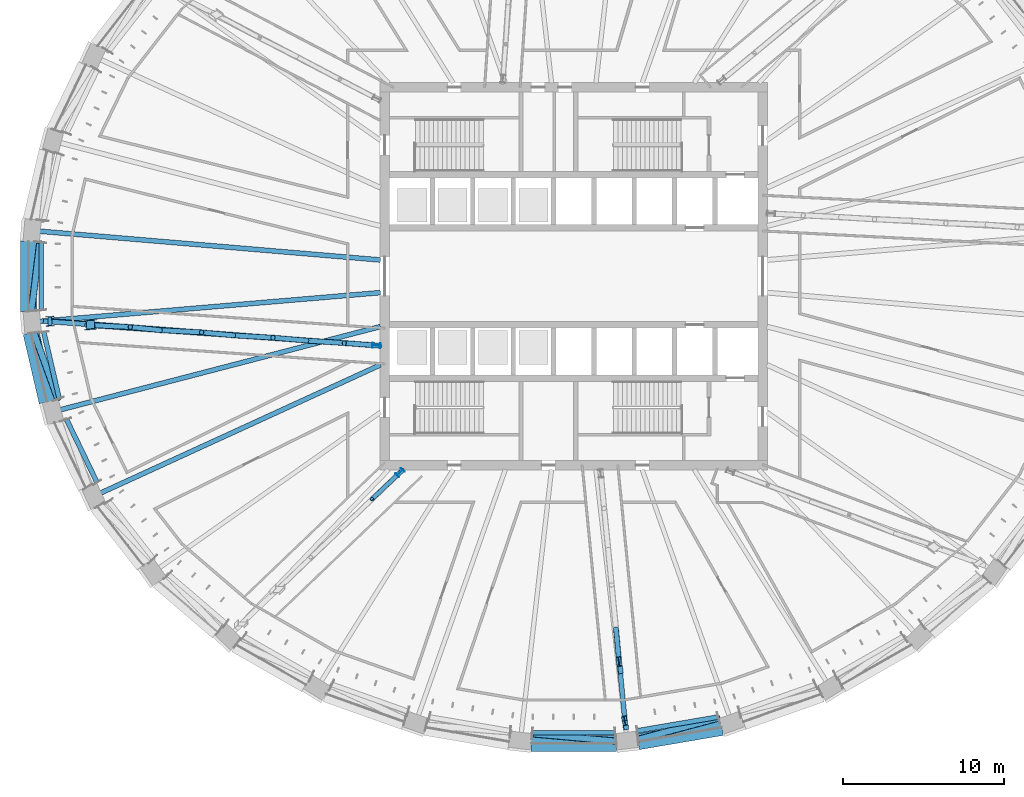
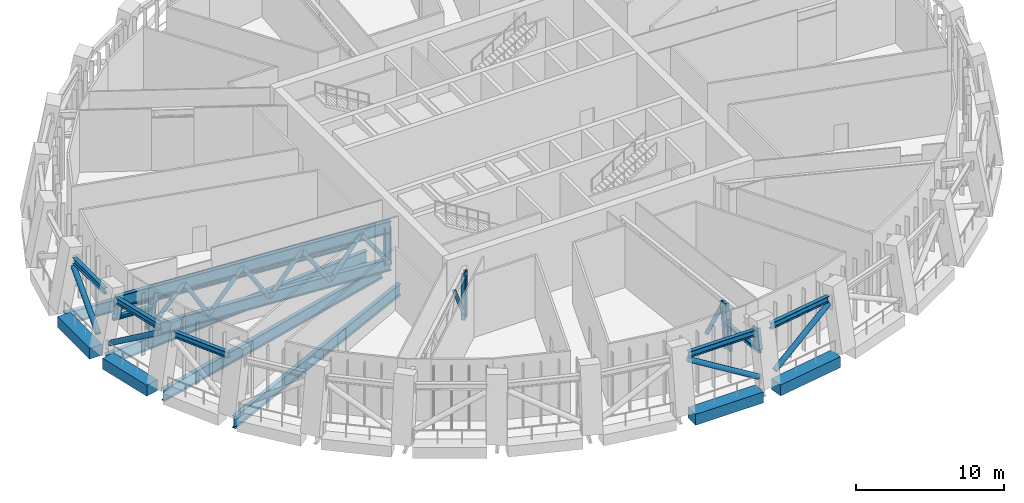
# One storey, part 2 of 21: 29 members, 8 beams.
"""IFC4 building model written with IfcOpenShell, lengths in metres."""

from ifc_helpers import new_model, si_unit, direction, frame, origin, origin_2d, place, context, subcontext, project, spatial, rectangle, hollow_circle, i_section, extrude, material, material_profile, profile_set, type_object, element, save


model = new_model("IFC4")

# Units and contexts
model_context = context("Model", 3, precision=1e-05, world=origin(), true_north=direction((0.0, 1.0)))
body_context = subcontext(model_context, "Body", "Model", "MODEL_VIEW")
ifc_project = project(units=[si_unit("LENGTHUNIT", "METRE"), si_unit("AREAUNIT", "SQUARE_METRE"), si_unit("VOLUMEUNIT", "CUBIC_METRE"), si_unit("PLANEANGLEUNIT", "RADIAN"), si_unit("MASSUNIT", "GRAM", prefix="KILO")], contexts=[model_context])

# Site, building, storey
site_placement = place(None, origin())
site = spatial("IfcSite", under=ifc_project, at=site_placement, CompositionType="ELEMENT")
building_placement = place(site_placement, origin())
building = spatial("IfcBuilding", under=site, at=building_placement, Name="Halqa Exchange Tower", CompositionType="ELEMENT")
storey_placement = place(building_placement, frame((0.0, 0.0, 173.5)))
storey = spatial("IfcBuildingStorey", under=building, at=storey_placement, Name="L39", CompositionType="ELEMENT", Elevation=173.5)

# Members
ifc_material_1 = material(Name="Steel S355", Category="steel")
ifc_material_profile_1 = material_profile(ifc_material_1, i_section(OverallWidth=0.300048828125, OverallDepth=0.5, WebThickness=0.014404296875, FlangeThickness=0.028076171875, FilletRadius=0.027099609375, at=origin_2d()), Name="HEB 500")
ifc_profile_set_1 = profile_set([ifc_material_profile_1], Name="Steel S355")
member_type_1 = type_object("IfcMemberType", Name="Belt truss chord HEB 500", PredefinedType="CHORD", material=ifc_profile_set_1)
member_1_placement = place(storey_placement, frame((-32.974609375, 2.1064453125, 4.25), z_axis=(0.0, -1.0, 0.0), x_axis=(1.0, 0.0, 0.0)))
element("IfcMember", 1, at=member_1_placement, inside=storey, type_object=member_type_1, Name="Belt chord 16", PredefinedType="CHORD", context=body_context, shape_type="SweptSolid", body=[
    extrude(i_section(OverallWidth=0.300048828125, OverallDepth=0.5, WebThickness=0.014404296875, FlangeThickness=0.028076171875, FilletRadius=0.027099609375, at=origin_2d()), origin(), (0.0, 0.0, 1.0), 4.212890625),
])
member_2_placement = place(storey_placement, frame((-32.821533203125, -3.443359375, 4.25), z_axis=(0.226071328972, -0.974110750488, 0.0), x_axis=(0.974110750488, 0.226071328972, 0.0)))
element("IfcMember", 2, at=member_2_placement, inside=storey, type_object=member_type_1, Name="Belt chord 17", PredefinedType="CHORD", context=body_context, shape_type="SweptSolid", body=[
    extrude(i_section(OverallWidth=0.300048828125, OverallDepth=0.5, WebThickness=0.014404296875, FlangeThickness=0.028076171875, FilletRadius=0.027099609375, at=origin_2d()), origin(), (0.0, 0.0, 1.0), 4.251708984375),
])
member_3_placement = place(storey_placement, frame((-31.4130859375, -8.853271484375, 4.25), z_axis=(0.435124788825, -0.900370156186, 0.0), x_axis=(0.900370156186, 0.435124788825, 0.0)))
element("IfcMember", 3, at=member_3_placement, inside=storey, type_object=member_type_1, Name="Belt chord 18", PredefinedType="CHORD", context=body_context, shape_type="SweptSolid", body=[
    extrude(i_section(OverallWidth=0.300048828125, OverallDepth=0.5, WebThickness=0.014404296875, FlangeThickness=0.028076171875, FilletRadius=0.027099609375, at=origin_2d()), origin(), (0.0, 0.0, 1.0), 4.36083984375),
])
member_4_placement = place(storey_placement, frame((-2.572998046875, -28.263916015625, 4.25), z_axis=(1.0, 0.0, 0.0), x_axis=(0.0, 1.0, 0.0)))
element("IfcMember", 4, at=member_4_placement, inside=storey, type_object=member_type_1, Name="Belt chord 24", PredefinedType="CHORD", context=body_context, shape_type="SweptSolid", body=[
    extrude(i_section(OverallWidth=0.300048828125, OverallDepth=0.5, WebThickness=0.014404296875, FlangeThickness=0.028076171875, FilletRadius=0.027099609375, at=origin_2d()), origin(), (0.0, 0.0, 1.0), 5.14599609375),
])
member_5_placement = place(storey_placement, frame((3.912841796875, -28.150390625, 4.25), z_axis=(0.985772726473, 0.168083704572, 0.0), x_axis=(-0.168083704572, 0.985772726473, 0.0)))
element("IfcMember", 5, at=member_5_placement, inside=storey, type_object=member_type_1, Name="Belt chord 25", PredefinedType="CHORD", context=body_context, shape_type="SweptSolid", body=[
    extrude(i_section(OverallWidth=0.300048828125, OverallDepth=0.5, WebThickness=0.014404296875, FlangeThickness=0.028076171875, FilletRadius=0.027099609375, at=origin_2d()), origin(), (0.0, 0.0, 1.0), 5.11279296875),
])
ifc_material_profile_2 = material_profile(ifc_material_1, hollow_circle(Radius=0.203125, WallThickness=0.02490234375, at=origin_2d()), Name="CHS 406.4x25")
ifc_profile_set_2 = profile_set([ifc_material_profile_2], Name="Steel S355")
member_type_2 = type_object("IfcMemberType", Name="Belt truss diagonal CHS 406.4x25", PredefinedType="BRACE", material=ifc_profile_set_2)
member_6_placement = place(storey_placement, frame((-33.056396484375, 2.1171875, 3.805908203125), z_axis=(-0.101703463411, -0.827765008805, -0.55178029661), x_axis=(0.992536474378, -0.12194813254, 0.0)))
element("IfcMember", 6, at=member_6_placement, inside=storey, type_object=member_type_2, Name="Belt diagonal 16", PredefinedType="BRACE", context=body_context, shape_type="SweptSolid", body=[
    extrude(hollow_circle(Radius=0.203125, WallThickness=0.02490234375, at=origin_2d()), origin(), (0.0, 0.0, 1.0), 5.16357421875),
])
member_7_placement = place(storey_placement, frame((-33.43017578125, -3.491943359375, 0.950927734375), z_axis=(0.285439464031, -0.787290547851, 0.546532620836), x_axis=(0.940118219576, 0.340848548804, 0.0)))
element("IfcMember", 7, at=member_7_placement, inside=storey, type_object=member_type_2, Name="Belt diagonal 17", PredefinedType="BRACE", context=body_context, shape_type="SweptSolid", body=[
    extrude(hollow_circle(Radius=0.203125, WallThickness=0.02490234375, at=origin_2d()), origin(), (0.0, 0.0, 1.0), 5.234619140625),
])
member_8_placement = place(storey_placement, frame((-2.579345703125, -28.32421875, 3.8681640625), z_axis=(0.865617575763, -0.078114237588, -0.494574947219), x_axis=(0.089875840883, 0.995952977417, 0.0)))
element("IfcMember", 8, at=member_8_placement, inside=storey, type_object=member_type_2, Name="Belt diagonal 24", PredefinedType="BRACE", context=body_context, shape_type="SweptSolid", body=[
    extrude(hollow_circle(Radius=0.203125, WallThickness=0.02490234375, at=origin_2d()), origin(), (0.0, 0.0, 1.0), 6.02587890625),
])
member_9_placement = place(storey_placement, frame((3.975341796875, -28.6806640625, 0.892333984375), z_axis=(0.837713840021, 0.223136467433, 0.498443215561), x_axis=(-0.257389219972, 0.966307812988, 0.0)))
element("IfcMember", 9, at=member_9_placement, inside=storey, type_object=member_type_2, Name="Belt diagonal 25", PredefinedType="BRACE", context=body_context, shape_type="SweptSolid", body=[
    extrude(hollow_circle(Radius=0.203125, WallThickness=0.02490234375, at=origin_2d()), origin(), (0.0, 0.0, 1.0), 5.9619140625),
])

# Beams
ifc_material_profile_3 = material_profile(ifc_material_1, i_section(OverallWidth=0.300048828125, OverallDepth=0.989990234375, WebThickness=0.0166015625, FlangeThickness=0.031005859375, FilletRadius=0.030029296875, at=origin_2d()), Name="HEA 1000")
ifc_profile_set_3 = profile_set([ifc_material_profile_3], Name="Steel S355")
beam_type_1 = type_object("IfcBeamType", Name="Floor beam HEA 1000", PredefinedType="BEAM", material=ifc_profile_set_3)
beam_1_placement = place(storey_placement, frame((-11.972412109375, -5.4853515625, -0.844970703125), z_axis=(-0.909131678644, -0.416508812495, 0.0), x_axis=(0.416508812495, -0.909131678644, 0.0)))
element("IfcBeam", 10, at=beam_1_placement, inside=storey, type_object=beam_type_1, Name="Radial beam 19", PredefinedType="BEAM", context=body_context, shape_type="SweptSolid", body=[
    extrude(i_section(OverallWidth=0.300048828125, OverallDepth=0.989990234375, WebThickness=0.0166015625, FlangeThickness=0.031005859375, FilletRadius=0.030029296875, at=origin_2d()), origin(), (0.0, 0.0, 1.0), 19.36083984375),
])
ifc_material_profile_4 = material_profile(ifc_material_1, i_section(OverallWidth=0.300048828125, OverallDepth=1.0, WebThickness=0.01904296875, FlangeThickness=0.035888671875, FilletRadius=0.030029296875, at=origin_2d()), Name="HEB 1000")
ifc_profile_set_4 = profile_set([ifc_material_profile_4], Name="Steel S355")
beam_type_2 = type_object("IfcBeamType", Name="Floor beam HEB 1000", PredefinedType="BEAM", material=ifc_profile_set_4)
for number, where, z_axis, x_axis, name in (
    (11, (-11.972412109375, 1.0107421875, -0.85009765625), (-0.996455470836, 0.084121903455, 0.0), (-0.084121903455, -0.996455470836, 0.0), "Radial beam 16"),
    (12, (-11.972412109375, -1.0107421875, -0.85009765625), (-0.996455470836, -0.084121903455, 0.0), (0.084121903455, -0.996455470836, 0.0), "Radial beam 17"),
):
    element("IfcBeam", number, at=place(storey_placement, frame(where, z_axis=z_axis, x_axis=x_axis)), inside=storey, type_object=beam_type_2, Name=name, PredefinedType="BEAM", context=body_context, shape_type="SweptSolid", body=[
        extrude(i_section(OverallWidth=0.300048828125, OverallDepth=1.0, WebThickness=0.01904296875, FlangeThickness=0.035888671875, FilletRadius=0.030029296875, at=origin_2d()), origin(), (0.0, 0.0, 1.0), 21.490966796875),
    ])
beam_2_placement = place(storey_placement, frame((-11.97119140625, -3.11279296875, -0.85009765625), z_axis=(-0.967821534715, -0.251637590478, 0.0), x_axis=(0.251637590478, -0.967821534715, 0.0)))
element("IfcBeam", 13, at=beam_2_placement, inside=storey, type_object=beam_type_2, Name="Radial beam 18", PredefinedType="BEAM", context=body_context, shape_type="SweptSolid", body=[
    extrude(i_section(OverallWidth=0.300048828125, OverallDepth=1.0, WebThickness=0.01904296875, FlangeThickness=0.035888671875, FilletRadius=0.030029296875, at=origin_2d()), origin(), (0.0, 0.0, 1.0), 20.79638671875),
])

# Members
ifc_material_profile_5 = material_profile(ifc_material_1, i_section(OverallWidth=0.302001953125, OverallDepth=1.008056640625, WebThickness=0.02099609375, FlangeThickness=0.0400390625, FilletRadius=0.030029296875, at=origin_2d()), Name="HEM 1000")
ifc_profile_set_5 = profile_set([ifc_material_profile_5], Name="Steel S355")
member_type_3 = type_object("IfcMemberType", Name="Outrigger chord HEM 1000", PredefinedType="CHORD", material=ifc_profile_set_5)
member_10_placement = place(storey_placement, frame((-11.97314453125, -4.302001953125, 0.50390625), z_axis=(-0.997507336615, 0.070562832989, 0.0), x_axis=(-0.070562832989, -0.997507336615, 0.0)))
element("IfcMember", 14, at=member_10_placement, inside=storey, type_object=member_type_3, Name="Outrigger 5 chord", PredefinedType="CHORD", context=body_context, shape_type="SweptSolid", body=[
    extrude(i_section(OverallWidth=0.302001953125, OverallDepth=1.008056640625, WebThickness=0.02099609375, FlangeThickness=0.0400390625, FilletRadius=0.030029296875, at=origin_2d()), origin(), (0.0, 0.0, 1.0), 18.2578125),
])
member_11_placement = place(storey_placement, frame((-11.97314453125, -4.302001953125, 3.60595703125), z_axis=(-0.997197308241, 0.074816632083, 0.0), x_axis=(-0.074816632083, -0.997197308241, 0.0)))
element("IfcMember", 15, at=member_11_placement, inside=storey, type_object=member_type_3, Name="Outrigger 5 chord", PredefinedType="CHORD", context=body_context, shape_type="SweptSolid", body=[
    extrude(i_section(OverallWidth=0.302001953125, OverallDepth=1.008056640625, WebThickness=0.02099609375, FlangeThickness=0.0400390625, FilletRadius=0.030029296875, at=origin_2d()), origin(), (0.0, 0.0, 1.0), 20.698486328125),
])
ifc_material_profile_6 = material_profile(ifc_material_1, hollow_circle(Radius=0.136474609375, WallThickness=0.01611328125, at=origin_2d()), Name="CHS 273x16")
ifc_profile_set_6 = profile_set([ifc_material_profile_6], Name="Steel S355")
member_type_4 = type_object("IfcMemberType", Name="Outrigger diagonal CHS 273x16", PredefinedType="BRACE", material=ifc_profile_set_6)
member_12_placement = place(storey_placement, frame((-10.60009765625, -12.0, 0.300048828125), z_axis=(-0.403132133603, -0.383942794426, 0.830705972932), x_axis=(0.689662169965, -0.724131266635, 0.0)))
element("IfcMember", 16, at=member_12_placement, inside=storey, type_object=member_type_4, Name="Outrigger 6 diagonal", PredefinedType="BRACE", context=body_context, shape_type="SweptSolid", body=[
    extrude(hollow_circle(Radius=0.136474609375, WallThickness=0.01611328125, at=origin_2d()), origin(), (0.0, 0.0, 1.0), 4.694580078125),
])
ifc_material_profile_7 = material_profile(ifc_material_1, hollow_circle(Radius=0.161865234375, WallThickness=0.01611328125, at=origin_2d()), Name="CHS 323.9x16")
ifc_profile_set_7 = profile_set([ifc_material_profile_7], Name="Steel S355")
member_type_5 = type_object("IfcMemberType", Name="Outrigger diagonal CHS 323.9x16", PredefinedType="BRACE", material=ifc_profile_set_7)
member_13_placement = place(storey_placement, frame((-12.0, -4.300048828125, 0.50390625), z_axis=(-0.579427212902, 0.043492270347, 0.813862720223), x_axis=(-0.074850238766, -0.997194786266, 0.0)))
element("IfcMember", 17, at=member_13_placement, inside=storey, type_object=member_type_5, Name="Outrigger 5 diagonal", PredefinedType="BRACE", context=body_context, shape_type="SweptSolid", body=[
    extrude(hollow_circle(Radius=0.161865234375, WallThickness=0.01611328125, at=origin_2d()), origin(), (0.0, 0.0, 1.0), 3.8115234375),
])
member_14_placement = place(storey_placement, frame((-14.20849609375, -4.13427734375, 3.60595703125), z_axis=(-0.600304501235, 0.039982580667, -0.798771493632), x_axis=(-0.066456592906, -0.99778931707, 0.0)))
element("IfcMember", 18, at=member_14_placement, inside=storey, type_object=member_type_5, Name="Outrigger 5 diagonal", PredefinedType="BRACE", context=body_context, shape_type="SweptSolid", body=[
    extrude(hollow_circle(Radius=0.161865234375, WallThickness=0.01611328125, at=origin_2d()), origin(), (0.0, 0.0, 1.0), 3.883544921875),
])
member_15_placement = place(storey_placement, frame((-16.539794921875, -3.97900390625, 0.50390625), z_axis=(-0.557392209118, 0.047101729282, 0.828912149937), x_axis=(-0.084203635972, -0.996448567508, 0.0)))
element("IfcMember", 19, at=member_15_placement, inside=storey, type_object=member_type_5, Name="Outrigger 5 diagonal", PredefinedType="BRACE", context=body_context, shape_type="SweptSolid", body=[
    extrude(hollow_circle(Radius=0.161865234375, WallThickness=0.01611328125, at=origin_2d()), origin(), (0.0, 0.0, 1.0), 3.742431640625),
])
member_16_placement = place(storey_placement, frame((-18.625732421875, -3.802734375, 3.60595703125), z_axis=(-0.619947941484, 0.036641699228, -0.78378691985), x_axis=(-0.059001511309, -0.998257893364, 0.0)))
element("IfcMember", 20, at=member_16_placement, inside=storey, type_object=member_type_5, Name="Outrigger 5 diagonal", PredefinedType="BRACE", context=body_context, shape_type="SweptSolid", body=[
    extrude(hollow_circle(Radius=0.161865234375, WallThickness=0.01611328125, at=origin_2d()), origin(), (0.0, 0.0, 1.0), 3.957763671875),
])
member_17_placement = place(storey_placement, frame((-21.079345703125, -3.65771484375, 0.50390625), z_axis=(-0.534168733843, 0.050673970399, 0.843857756087), x_axis=(-0.094441095899, -0.99553045127, 0.0)))
element("IfcMember", 21, at=member_17_placement, inside=storey, type_object=member_type_5, Name="Outrigger 5 diagonal", PredefinedType="BRACE", context=body_context, shape_type="SweptSolid", body=[
    extrude(hollow_circle(Radius=0.161865234375, WallThickness=0.01611328125, at=origin_2d()), origin(), (0.0, 0.0, 1.0), 3.676025390625),
])
member_18_placement = place(storey_placement, frame((-23.04296875, -3.471435546875, 3.60595703125), z_axis=(-0.638492850493, 0.033404232155, -0.768902488709), x_axis=(-0.052245863637, -0.998634252233, 0.0)))
element("IfcMember", 22, at=member_18_placement, inside=storey, type_object=member_type_5, Name="Outrigger 5 diagonal", PredefinedType="BRACE", context=body_context, shape_type="SweptSolid", body=[
    extrude(hollow_circle(Radius=0.161865234375, WallThickness=0.01611328125, at=origin_2d()), origin(), (0.0, 0.0, 1.0), 4.034423828125),
])
member_19_placement = place(storey_placement, frame((-25.618896484375, -3.336669921875, 0.50390625), z_axis=(-0.509671577011, 0.054467686432, 0.858643205716), x_axis=(-0.106263121819, -0.994338045607, 0.0)))
element("IfcMember", 23, at=member_19_placement, inside=storey, type_object=member_type_5, Name="Outrigger 5 diagonal", PredefinedType="BRACE", context=body_context, shape_type="SweptSolid", body=[
    extrude(hollow_circle(Radius=0.161865234375, WallThickness=0.01611328125, at=origin_2d()), origin(), (0.0, 0.0, 1.0), 3.61279296875),
])
member_20_placement = place(storey_placement, frame((-27.460205078125, -3.139892578125, 3.60595703125), z_axis=(-0.656024670471, 0.030210491022, -0.754134575501), x_axis=(-0.046002093888, -0.998941343302, 0.0)))
element("IfcMember", 24, at=member_20_placement, inside=storey, type_object=member_type_5, Name="Outrigger 5 diagonal", PredefinedType="BRACE", context=body_context, shape_type="SweptSolid", body=[
    extrude(hollow_circle(Radius=0.161865234375, WallThickness=0.01611328125, at=origin_2d()), origin(), (0.0, 0.0, 1.0), 4.11328125),
])
member_21_placement = place(storey_placement, frame((2.618896484375, -21.846923828125, 0.300048828125), z_axis=(0.0448723925, -0.473653031948, 0.879567662956), x_axis=(0.99554244816, 0.09431454772, 0.0)))
element("IfcMember", 25, at=member_21_placement, inside=storey, type_object=member_type_5, Name="Outrigger 7 diagonal", PredefinedType="BRACE", context=body_context, shape_type="SweptSolid", body=[
    extrude(hollow_circle(Radius=0.161865234375, WallThickness=0.01611328125, at=origin_2d()), origin(), (0.0, 0.0, 1.0), 4.260009765625),
])
ifc_material_profile_8 = material_profile(ifc_material_1, i_section(OverallWidth=0.300048828125, OverallDepth=0.300048828125, WebThickness=0.010986328125, FlangeThickness=0.01904296875, FilletRadius=0.027099609375, at=origin_2d()), Name="HEB 300")
ifc_profile_set_8 = profile_set([ifc_material_profile_8], Name="Steel S355")
member_type_6 = type_object("IfcMemberType", Name="Outrigger opening chord HEB 300", PredefinedType="CHORD", material=ifc_profile_set_8)
member_22_placement = place(storey_placement, frame((-29.8671875, -2.990966796875, 2.35009765625), z_axis=(-0.99732457129, 0.073100612178, 0.0), x_axis=(-0.073100612178, -0.99732457129, 0.0)))
element("IfcMember", 26, at=member_22_placement, inside=storey, type_object=member_type_6, Name="Outrigger 5 opening chord", PredefinedType="CHORD", context=body_context, shape_type="SweptSolid", body=[
    extrude(i_section(OverallWidth=0.300048828125, OverallDepth=0.300048828125, WebThickness=0.010986328125, FlangeThickness=0.01904296875, FilletRadius=0.027099609375, at=origin_2d()), origin(), (0.0, 0.0, 1.0), 2.98583984375),
])
member_23_placement = place(storey_placement, frame((2.8330078125, -24.06591796875, 2.35009765625), z_axis=(0.09756555766, -0.995229100237, 0.0), x_axis=(0.995229100237, 0.09756555766, 0.0)))
element("IfcMember", 27, at=member_23_placement, inside=storey, type_object=member_type_6, Name="Outrigger 7 opening chord", PredefinedType="CHORD", context=body_context, shape_type="SweptSolid", body=[
    extrude(i_section(OverallWidth=0.300048828125, OverallDepth=0.300048828125, WebThickness=0.010986328125, FlangeThickness=0.01904296875, FilletRadius=0.027099609375, at=origin_2d()), origin(), (0.0, 0.0, 1.0), 4.041259765625),
])
ifc_material_profile_9 = material_profile(ifc_material_1, i_section(OverallWidth=0.300048828125, OverallDepth=0.5, WebThickness=0.014404296875, FlangeThickness=0.028076171875, FilletRadius=0.027099609375, at=origin_2d()), Name="HEB 500")
ifc_profile_set_9 = profile_set([ifc_material_profile_9], Name="Steel S355")
member_type_7 = type_object("IfcMemberType", Name="Outrigger post HEB 500", PredefinedType="POST", material=ifc_profile_set_9)
member_24_placement = place(storey_placement, frame((-12.221435546875, -4.2841796875, 0.50390625), z_axis=(0.0, 0.0, 1.0), x_axis=(-0.070017633008, -0.997545753872, 0.0)))
element("IfcMember", 28, at=member_24_placement, inside=storey, type_object=member_type_7, Name="Outrigger 5 post", PredefinedType="POST", context=body_context, shape_type="SweptSolid", body=[
    extrude(i_section(OverallWidth=0.300048828125, OverallDepth=0.5, WebThickness=0.014404296875, FlangeThickness=0.028076171875, FilletRadius=0.027099609375, at=origin_2d()), origin(), (0.0, 0.0, 1.0), 3.10205078125),
])
member_25_placement = place(storey_placement, frame((-10.760498046875, -12.153564453125, 0.300048828125), z_axis=(0.0, 0.0, 1.0), x_axis=(0.691235636963, -0.722629430755, 0.0)))
element("IfcMember", 29, at=member_25_placement, inside=storey, type_object=member_type_7, Name="Outrigger 6 post", PredefinedType="POST", context=body_context, shape_type="SweptSolid", body=[
    extrude(i_section(OverallWidth=0.300048828125, OverallDepth=0.5, WebThickness=0.014404296875, FlangeThickness=0.028076171875, FilletRadius=0.027099609375, at=origin_2d()), origin(), (0.0, 0.0, 1.0), 3.89990234375),
])
ifc_material_profile_10 = material_profile(ifc_material_1, i_section(OverallWidth=0.300048828125, OverallDepth=0.60009765625, WebThickness=0.015380859375, FlangeThickness=0.030029296875, FilletRadius=0.027099609375, at=origin_2d()), Name="HEB 600")
ifc_profile_set_10 = profile_set([ifc_material_profile_10], Name="Steel S355")
member_type_8 = type_object("IfcMemberType", Name="Outrigger post HEB 600", PredefinedType="POST", material=ifc_profile_set_10)
member_26_placement = place(storey_placement, frame((-30.15869140625, -3.015625, 0.50390625), z_axis=(0.156008989965, 0.013136780919, 0.987668274289), x_axis=(0.987644870136, 0.012899488743, -0.156176866674)))
element("IfcMember", 30, at=member_26_placement, inside=storey, type_object=member_type_8, Name="Outrigger 5 post", PredefinedType="POST", context=body_context, shape_type="SweptSolid", body=[
    extrude(i_section(OverallWidth=0.300048828125, OverallDepth=0.60009765625, WebThickness=0.015380859375, FlangeThickness=0.030029296875, FilletRadius=0.027099609375, at=origin_2d()), origin(), (0.0, 0.0, 1.0), 3.140869140625),
])
member_27_placement = place(storey_placement, frame((-32.547119140625, -2.7939453125, 2.35009765625), z_axis=(0.181403962181, 0.015292220205, 0.983289759179), x_axis=(0.983291330173, 0.012624755807, -0.181600593468)))
element("IfcMember", 31, at=member_27_placement, inside=storey, type_object=member_type_8, Name="Outrigger 5 post", PredefinedType="POST", context=body_context, shape_type="SweptSolid", body=[
    extrude(i_section(OverallWidth=0.300048828125, OverallDepth=0.60009765625, WebThickness=0.015380859375, FlangeThickness=0.030029296875, FilletRadius=0.027099609375, at=origin_2d()), origin(), (0.0, 0.0, 1.0), 1.277099609375),
])
member_28_placement = place(storey_placement, frame((2.861083984375, -24.30859375, 0.300048828125), z_axis=(-0.013521634881, 0.117618814416, 0.992966756687), x_axis=(-0.977575558531, -0.210265544824, 0.011594309927)))
element("IfcMember", 32, at=member_28_placement, inside=storey, type_object=member_type_8, Name="Outrigger 7 post", PredefinedType="POST", context=body_context, shape_type="SweptSolid", body=[
    extrude(i_section(OverallWidth=0.300048828125, OverallDepth=0.60009765625, WebThickness=0.015380859375, FlangeThickness=0.030029296875, FilletRadius=0.027099609375, at=origin_2d()), origin(), (0.0, 0.0, 1.0), 3.773681640625),
])
member_29_placement = place(storey_placement, frame((3.1982421875, -27.7900390625, 2.35009765625), z_axis=(-0.017902408151, 0.155864617, 0.987616183013), x_axis=(-0.977656676083, -0.20964580698, 0.01536422228)))
element("IfcMember", 33, at=member_29_placement, inside=storey, type_object=member_type_8, Name="Outrigger 7 post", PredefinedType="POST", context=body_context, shape_type="SweptSolid", body=[
    extrude(i_section(OverallWidth=0.300048828125, OverallDepth=0.60009765625, WebThickness=0.015380859375, FlangeThickness=0.030029296875, FilletRadius=0.027099609375, at=origin_2d()), origin(), (0.0, 0.0, 1.0), 1.71826171875),
])

# Beams
ifc_material_2 = material(Name="Concrete C60/75", Category="concrete")
ifc_material_profile_11 = material_profile(ifc_material_2, rectangle(XDim=1.0, YDim=0.89990234375, at=origin_2d()), Name="1000 x 900")
ifc_profile_set_11 = profile_set([ifc_material_profile_11], Name="Concrete C60/75")
beam_type_3 = type_object("IfcBeamType", Name="RC spandrel beam 1000 x 900 C60/75", PredefinedType="SPANDREL", material=ifc_profile_set_11)
beam_3_placement = place(storey_placement, frame((-33.7578125, 2.173828125, -0.449951171875), z_axis=(0.0, -1.0, 0.0), x_axis=(1.0, 0.0, 0.0)))
element("IfcBeam", 34, at=beam_3_placement, inside=storey, type_object=beam_type_3, Name="Spandrel 16", PredefinedType="SPANDREL", context=body_context, shape_type="SweptSolid", body=[
    extrude(rectangle(XDim=1.0, YDim=0.89990234375, at=origin_2d()), origin(), (0.0, 0.0, 1.0), 4.34765625),
])
beam_4_placement = place(storey_placement, frame((-33.60498046875, -3.508056640625, -0.449951171875), z_axis=(0.226050480348, -0.974115588795, 0.0), x_axis=(0.974115588795, 0.226050480348, 0.0)))
element("IfcBeam", 35, at=beam_4_placement, inside=storey, type_object=beam_type_3, Name="Spandrel 17", PredefinedType="SPANDREL", context=body_context, shape_type="SweptSolid", body=[
    extrude(rectangle(XDim=1.0, YDim=0.89990234375, at=origin_2d()), origin(), (0.0, 0.0, 1.0), 4.385986328125),
])
beam_5_placement = place(storey_placement, frame((-2.649658203125, -28.935302734375, -0.449951171875), z_axis=(1.0, 0.0, 0.0), x_axis=(0.0, 1.0, 0.0)))
element("IfcBeam", 36, at=beam_5_placement, inside=storey, type_object=beam_type_3, Name="Spandrel 24", PredefinedType="SPANDREL", context=body_context, shape_type="SweptSolid", body=[
    extrude(rectangle(XDim=1.0, YDim=0.89990234375, at=origin_2d()), origin(), (0.0, 0.0, 1.0), 5.29931640625),
])
beam_6_placement = place(storey_placement, frame((3.990478515625, -28.82177734375, -0.449951171875), z_axis=(0.985766792744, 0.168118500836, 0.0), x_axis=(-0.168118500836, 0.985766792744, 0.0)))
element("IfcBeam", 37, at=beam_6_placement, inside=storey, type_object=beam_type_3, Name="Spandrel 25", PredefinedType="SPANDREL", context=body_context, shape_type="SweptSolid", body=[
    extrude(rectangle(XDim=1.0, YDim=0.89990234375, at=origin_2d()), origin(), (0.0, 0.0, 1.0), 5.26708984375),
])

save(model, "model.ifc")
